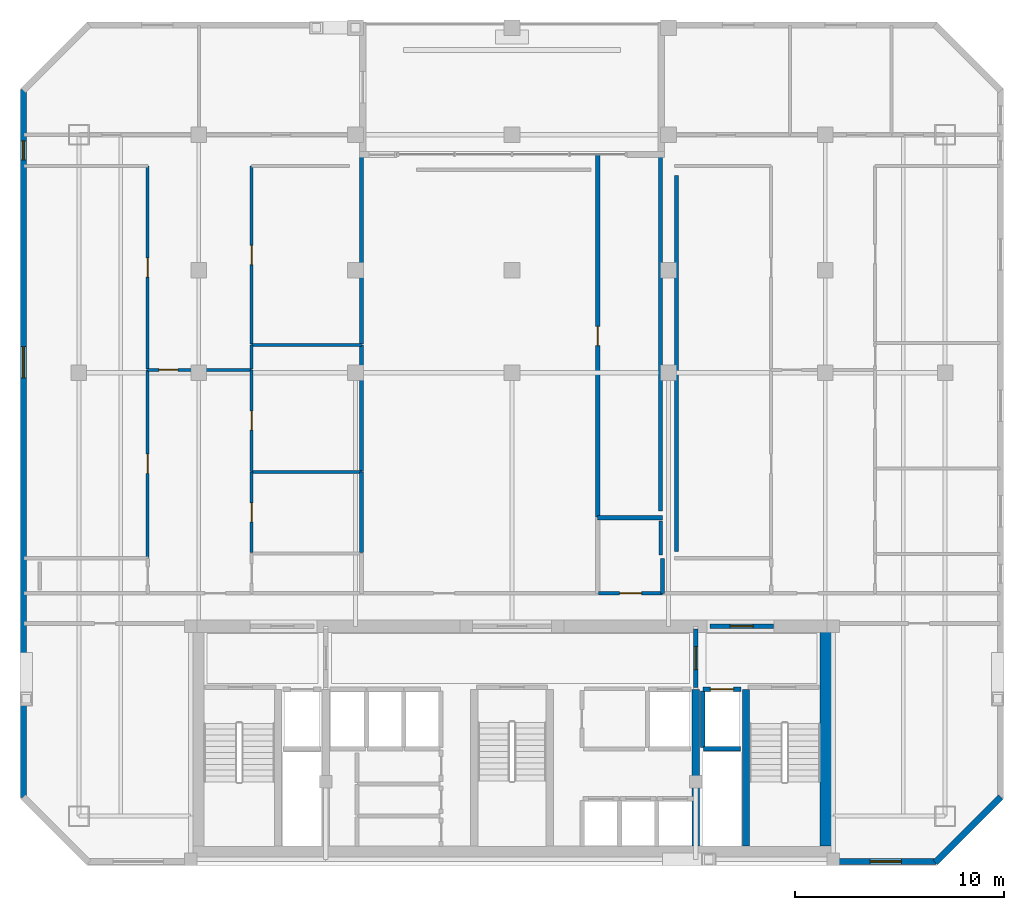
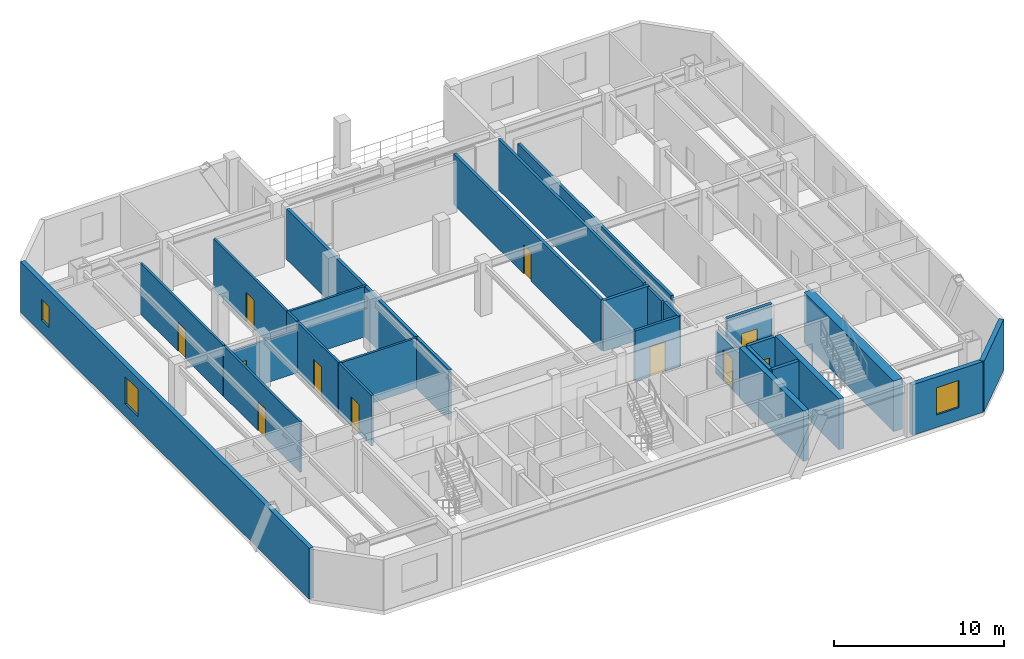
# One storey, part 6 of 9: 30 walls, 11 doors, 3 windows, 14 openings.
"""IFC4 building model written with IfcOpenShell, lengths in metres."""

from ifc_helpers import new_model, si_unit, direction, frame, frame_2d, origin, place, context, subcontext, project, spatial, rectangle, extrude, material, layer, layer_set, type_object, element, fill, save


model = new_model("IFC4")

# Units and contexts
model_context = context("Model", 3, precision=1e-05, world=origin(), true_north=direction((0.0, 1.0)))
body_context = subcontext(model_context, "Body", "Model", "MODEL_VIEW")
ifc_project = project(units=[si_unit("LENGTHUNIT", "METRE"), si_unit("AREAUNIT", "SQUARE_METRE"), si_unit("VOLUMEUNIT", "CUBIC_METRE"), si_unit("PLANEANGLEUNIT", "RADIAN"), si_unit("MASSUNIT", "GRAM", prefix="KILO")], contexts=[model_context])

# Site, building, storey
site_placement = place(None, origin())
site = spatial("IfcSite", under=ifc_project, at=site_placement, CompositionType="ELEMENT")
building_placement = place(site_placement, origin())
building = spatial("IfcBuilding", under=site, at=building_placement, Name="Ventersveld Concourse Tower", CompositionType="ELEMENT")
storey_placement = place(building_placement, frame((0.0, 0.0, 204.14990234375)))
storey = spatial("IfcBuildingStorey", under=building, at=storey_placement, Name="L50", CompositionType="ELEMENT", Elevation=204.14990234375)

# Walls
ifc_material_1 = material(Name="Concrete C50/60", Category="concrete")
ifc_layer_1 = layer(ifc_material_1, 0.35009765625)
ifc_layer_set_1 = layer_set([ifc_layer_1], Name="Concrete C50/60")
wall_type_1 = type_object("IfcWallType", Name="WL-CORE-350U", PredefinedType="SHEAR", material=ifc_layer_set_1)
for number, where, z_axis, x_axis, name in (
    (1, (37.550048828125, 0.919921875, 0.0), (0.0, 0.0, 1.0), (0.0, 1.0, 0.0), "L50 Core Internal Shear Web W-SVL-W"),
    (2, (39.9599609375, 0.919921875, 0.0), (0.0, 0.0, 1.0), (0.0, 1.0, 0.0), "L50 Core Internal Shear Web W-ST2-W"),
):
    element("IfcWall", number, at=place(storey_placement, frame(where, z_axis=z_axis, x_axis=x_axis)), inside=storey, type_object=wall_type_1, Name=name, PredefinedType="SHEAR", context=body_context, shape_type="SweptSolid", body=[
        extrude(rectangle(XDim=7.5, YDim=0.35009765625, at=frame_2d((3.75, 0.0))), origin(), (0.0, 0.0, 1.0), 3.630126953125),
    ])
ifc_layer_2 = layer(ifc_material_1, 0.60009765625)
ifc_layer_set_2 = layer_set([ifc_layer_2], Name="Concrete C50/60")
wall_type_2 = type_object("IfcWallType", Name="WL-CORE-600", PredefinedType="SHEAR", material=ifc_layer_set_2)
wall_1_placement = place(storey_placement, frame((43.800048828125, 0.919921875, 0.0), z_axis=(0.0, 0.0, 1.0), x_axis=(0.0, 1.0, 0.0)))
element("IfcWall", 3, at=wall_1_placement, inside=storey, type_object=wall_type_2, Name="L50 Rear Core East Shear Wall", PredefinedType="SHEAR", context=body_context, shape_type="SweptSolid", body=[
    extrude(rectangle(XDim=10.530029296875, YDim=0.60009765625, at=frame_2d((5.26513671875, 0.0))), origin(), (0.0, 0.0, 1.0), 3.630126953125),
])

# Wall, opening, door
ifc_material_2 = material(Name="Fire-rated autoclaved aerated masonry blockwork", Category="masonry")
ifc_layer_3 = layer(ifc_material_2, 0.179931640625)
ifc_layer_set_3 = layer_set([ifc_layer_3], Name="Fire-rated autoclaved aerated masonry blockwork")
wall_type_3 = type_object("IfcWallType", Name="WL-CORR-180", PredefinedType="PARTITIONING", material=ifc_layer_set_3)
wall_2_placement = place(storey_placement, frame((32.89501953125, 13.030029296875, 0.0), z_axis=(0.0, 0.0, 1.0), x_axis=(1.0, 0.0, 0.0)))
wall_2 = element("IfcWall", 4, at=wall_2_placement, inside=storey, type_object=wall_type_3, Name="L50 Interior Partition SP-L50-COR-SP-L50-SGAWC", PredefinedType="PARTITIONING", context=body_context, shape_type="SweptSolid", body=[
    extrude(rectangle(XDim=3.070068359375, YDim=0.179931640625, at=frame_2d((1.53515625, 0.0))), origin(), (0.0, 0.0, 1.0), 3.630126953125),
])
opening_1_placement = place(wall_2_placement, frame((1.010009765625, 0.0, 0.0)))
opening_1 = element("IfcOpeningElement", 5, at=opening_1_placement, cuts=wall_2, Name="Opening ID3", PredefinedType="OPENING", context=body_context, shape_type="SweptSolid", body=[
    extrude(rectangle(XDim=1.050048828125, YDim=2.14990234375, at=frame_2d((0.52490234375, 1.074951171875))), frame((0.0, 0.10009765625, 0.0), z_axis=(0.0, -1.0, 0.0), x_axis=(1.0, 0.0, 0.0)), (0.0, 0.0, 1.0), 0.199951171875),
])
ifc_material_3 = material(Name="Solid-core hardwood veneer timber", Category="wood")
door_type_1 = type_object("IfcDoorType", Name="DR-AWC-105", OperationType="NOTDEFINED", PredefinedType="DOOR", material=ifc_material_3)
door_1_placement = place(opening_1_placement, origin())
door_1 = element("IfcDoor", 6, at=door_1_placement, inside=storey, type_object=door_type_1, Name="L50 Interior Door SP-L50-COR to SP-L50-SGAWC (WD-L50-2441)", OperationType="SINGLE_SWING_LEFT", OverallHeight=2.14990234375, OverallWidth=1.050048828125, PredefinedType="DOOR", context=body_context, shape_type="SweptSolid", body=[
    extrude(rectangle(XDim=1.050048828125, YDim=2.14990234375, at=frame_2d((0.52490234375, 1.074951171875))), frame((0.0, 0.02490234375, 0.0), z_axis=(0.0, -1.0, 0.0), x_axis=(1.0, 0.0, 0.0)), (0.0, 0.0, 1.0), 0.050048828125),
])
fill(opening_1, door_1)

# Walls
wall_3_placement = place(storey_placement, frame((35.8701171875, 34.027587890625, 0.0), z_axis=(0.0, 0.0, 1.0), x_axis=(0.0, -1.0, 0.0)))
element("IfcWall", 7, at=wall_3_placement, inside=storey, type_object=wall_type_3, Name="L50 Room Enclosure Wall SP-L50-SGSTD", PredefinedType="PARTITIONING", context=body_context, shape_type="SweptSolid", body=[
    extrude(rectangle(XDim=17.052490234375, YDim=0.179931640625, at=frame_2d((8.5263671875, 0.0))), origin(), (0.0, 0.0, 1.0), 3.630126953125),
])
wall_4_placement = place(storey_placement, frame((36.6298828125, 15.02490234375, 0.0), z_axis=(0.0, 0.0, 1.0), x_axis=(0.0, 1.0, 0.0)))
element("IfcWall", 8, at=wall_4_placement, inside=storey, type_object=wall_type_3, Name="L50 Room Enclosure Wall SP-L50-50CE-OFFL0", PredefinedType="PARTITIONING", context=body_context, shape_type="SweptSolid", body=[
    extrude(rectangle(XDim=18.01318359375, YDim=0.179931640625, at=frame_2d((9.006591796875, 0.0))), origin(), (0.0, 0.0, 1.0), 3.630126953125),
])

# Wall, opening, door
ifc_layer_4 = layer(ifc_material_2, 0.199951171875)
ifc_layer_set_4 = layer_set([ifc_layer_4], Name="Fire-rated autoclaved aerated masonry blockwork")
wall_type_4 = type_object("IfcWallType", Name="WL-DEMISE-200", PredefinedType="PARTITIONING", material=ifc_layer_set_4)
wall_5_placement = place(storey_placement, frame((32.860107421875, 16.68505859375, 0.0), z_axis=(0.0, 0.0, 1.0), x_axis=(0.0, 1.0, 0.0)))
wall_5 = element("IfcWall", 9, at=wall_5_placement, inside=storey, type_object=wall_type_4, Name="L50 Interior Partition SP-L50-SGLNG-SP-L50-SGSTD", PredefinedType="PARTITIONING", context=body_context, shape_type="SweptSolid", body=[
    extrude(rectangle(XDim=17.346923828125, YDim=0.199951171875, at=frame_2d((8.67333984375, 0.0))), origin(), (0.0, 0.0, 1.0), 3.630126953125),
])
opening_2_placement = place(wall_5_placement, frame((8.21337890625, 0.0, 0.0)))
opening_2 = element("IfcOpeningElement", 10, at=opening_2_placement, cuts=wall_5, Name="Opening ID1", PredefinedType="OPENING", context=body_context, shape_type="SweptSolid", body=[
    extrude(rectangle(XDim=0.919921875, YDim=2.10009765625, at=frame_2d((0.4599609375, 1.050048828125))), frame((0.0, 0.10986328125, 0.0), z_axis=(0.0, -1.0, 0.0), x_axis=(1.0, 0.0, 0.0)), (0.0, 0.0, 1.0), 0.219970703125),
])
door_type_2 = type_object("IfcDoorType", Name="DR-ROOM-092", OperationType="NOTDEFINED", PredefinedType="DOOR", material=ifc_material_3)
door_2_placement = place(opening_2_placement, origin())
door_2 = element("IfcDoor", 11, at=door_2_placement, inside=storey, type_object=door_type_2, Name="L50 Interior Door SP-L50-SGLNG to SP-L50-SGSTD (D-L50-2444)", OperationType="SINGLE_SWING_RIGHT", OverallHeight=2.10009765625, OverallWidth=0.919921875, PredefinedType="DOOR", context=body_context, shape_type="SweptSolid", body=[
    extrude(rectangle(XDim=0.919921875, YDim=2.10009765625, at=frame_2d((0.4599609375, 1.050048828125))), frame((0.0, 0.02490234375, 0.0), z_axis=(0.0, -1.0, 0.0), x_axis=(1.0, 0.0, 0.0)), (0.0, 0.0, 1.0), 0.050048828125),
])
fill(opening_2, door_2)

# Walls
wall_6_placement = place(storey_placement, frame((21.5400390625, 14.972900390625, 0.0), z_axis=(0.0, 0.0, 1.0), x_axis=(0.0, 1.0, 0.0)))
element("IfcWall", 12, at=wall_6_placement, inside=storey, type_object=wall_type_4, Name="L50 Interior Partition SP-L50-SGLNG-SP-L50-50CW-SEMR1", PredefinedType="PARTITIONING", context=body_context, shape_type="SweptSolid", body=[
    extrude(rectangle(XDim=3.8681640625, YDim=0.199951171875, at=frame_2d((1.93408203125, 0.0))), origin(), (0.0, 0.0, 1.0), 3.630126953125),
])
wall_7_placement = place(storey_placement, frame((21.5400390625, 18.87109375, 0.0), z_axis=(0.0, 0.0, 1.0), x_axis=(0.0, 1.0, 0.0)))
element("IfcWall", 13, at=wall_7_placement, inside=storey, type_object=wall_type_4, Name="L50 Interior Partition SP-L50-SGLNG-SP-L50-50CW-DENS", PredefinedType="PARTITIONING", context=body_context, shape_type="SweptSolid", body=[
    extrude(rectangle(XDim=6.060791015625, YDim=0.199951171875, at=frame_2d((3.0302734375, 0.0))), origin(), (0.0, 0.0, 1.0), 3.630126953125),
])
wall_8_placement = place(storey_placement, frame((21.5400390625, 24.9619140625, 0.0), z_axis=(0.0, 0.0, 1.0), x_axis=(0.0, 1.0, 0.0)))
element("IfcWall", 14, at=wall_8_placement, inside=storey, type_object=wall_type_4, Name="L50 Interior Partition SP-L50-SGLNG-SP-L50-50CW-DENS2", PredefinedType="PARTITIONING", context=body_context, shape_type="SweptSolid", body=[
    extrude(rectangle(XDim=9.065673828125, YDim=0.199951171875, at=frame_2d((4.53271484375, 0.0))), origin(), (0.0, 0.0, 1.0), 3.630126953125),
])
wall_9_placement = place(storey_placement, frame((32.85498046875, 16.64990234375, 0.0), z_axis=(0.0, 0.0, 1.0), x_axis=(1.0, 0.0, 0.0)))
element("IfcWall", 15, at=wall_9_placement, inside=storey, type_object=wall_type_4, Name="L50 Interior Partition SP-L50-SGAWC-SP-L50-SGSTD", PredefinedType="PARTITIONING", context=body_context, shape_type="SweptSolid", body=[
    extrude(rectangle(XDim=3.110107421875, YDim=0.199951171875, at=frame_2d((1.55517578125, 0.0))), origin(), (0.0, 0.0, 1.0), 3.630126953125),
])
wall_10_placement = place(storey_placement, frame((35.9599609375, 13.014892578125, 0.0), z_axis=(0.0, 0.0, 1.0), x_axis=(0.0, 1.0, 0.0)))
element("IfcWall", 16, at=wall_10_placement, inside=storey, type_object=wall_type_4, Name="L50 Interior Partition SP-L50-SGAWC-SP-L50-50CE-BATH", PredefinedType="PARTITIONING", context=body_context, shape_type="SweptSolid", body=[
    extrude(rectangle(XDim=1.690185546875, YDim=0.199951171875, at=frame_2d((0.84521484375, 0.0))), origin(), (0.0, 0.0, 1.0), 3.630126953125),
])
ifc_layer_5 = layer(ifc_material_2, 0.219970703125)
ifc_layer_set_5 = layer_set([ifc_layer_5], Name="Fire-rated autoclaved aerated masonry blockwork")
wall_type_5 = type_object("IfcWallType", Name="WL-HOIST-220", PredefinedType="SOLIDWALL", material=ifc_layer_set_5)
wall_11_placement = place(storey_placement, frame((37.919921875, 5.590087890625, 0.0), z_axis=(0.0, 0.0, 1.0), x_axis=(1.0, 0.0, 0.0)))
element("IfcWall", 17, at=wall_11_placement, inside=storey, type_object=wall_type_5, Name="L50 Lift Hoistway Back Wall FFL-02", PredefinedType="SOLIDWALL", context=body_context, shape_type="SweptSolid", body=[
    extrude(rectangle(XDim=1.780029296875, YDim=0.219970703125, at=frame_2d((0.89013671875, 0.0))), origin(), (0.0, 0.0, 1.0), 3.630126953125),
])
wall_12_placement = place(storey_placement, frame((37.8798828125, 5.64990234375, 0.0), z_axis=(0.0, 0.0, 1.0), x_axis=(0.0, 1.0, 0.0)))
element("IfcWall", 18, at=wall_12_placement, inside=storey, type_object=wall_type_5, Name="L50 Lift Hoistway Side Wall FFL-02W", PredefinedType="SOLIDWALL", context=body_context, shape_type="SweptSolid", body=[
    extrude(rectangle(XDim=2.7001953125, YDim=0.219970703125, at=frame_2d((1.35009765625, 0.0))), origin(), (0.0, 0.0, 1.0), 3.630126953125),
])

# Wall, opening, door
wall_13_placement = place(storey_placement, frame((37.89990234375, 8.429931640625, 0.0), z_axis=(0.0, 0.0, 1.0), x_axis=(1.0, 0.0, 0.0)))
wall_13 = element("IfcWall", 19, at=wall_13_placement, inside=storey, type_object=wall_type_5, Name="L50 Lift Hoistway Front Wall FFL-02", PredefinedType="SOLIDWALL", context=body_context, shape_type="SweptSolid", body=[
    extrude(rectangle(XDim=1.820068359375, YDim=0.219970703125, at=frame_2d((0.91015625, 0.0))), origin(), (0.0, 0.0, 1.0), 3.630126953125),
])
opening_3_placement = place(wall_13_placement, frame((0.35009765625, 0.0, 0.0)))
opening_3 = element("IfcOpeningElement", 20, at=opening_3_placement, cuts=wall_13, Name="Opening LD1", PredefinedType="OPENING", context=body_context, shape_type="SweptSolid", body=[
    extrude(rectangle(XDim=1.1201171875, YDim=2.25, at=frame_2d((0.56005859375, 1.125))), frame((0.0, 0.1201171875, 0.0), z_axis=(0.0, -1.0, 0.0), x_axis=(1.0, 0.0, 0.0)), (0.0, 0.0, 1.0), 0.239990234375),
])
ifc_material_4 = material(Name="Brushed stainless steel 316", Category="steel")
door_type_3 = type_object("IfcDoorType", Name="LD-FF-112", OperationType="SLIDING_TO_LEFT", PredefinedType="DOOR", material=ifc_material_4)
door_3_placement = place(opening_3_placement, origin())
door_3 = element("IfcDoor", 21, at=door_3_placement, inside=storey, type_object=door_type_3, Name="L50 Lift landing door FFL-02 (LD-L50-FFL-02)", OperationType="SLIDING_TO_RIGHT", OverallHeight=2.25, OverallWidth=1.1201171875, PredefinedType="DOOR", context=body_context, shape_type="SweptSolid", body=[
    extrude(rectangle(XDim=1.1201171875, YDim=2.25, at=frame_2d((0.56005859375, 1.125))), frame((0.0, 0.02490234375, 0.0), z_axis=(0.0, -1.0, 0.0), x_axis=(1.0, 0.0, 0.0)), (0.0, 0.0, 1.0), 0.050048828125),
])
fill(opening_3, door_3)

wall_14_placement = place(storey_placement, frame((37.550048828125, 8.52001953125, 0.0), z_axis=(0.0, 0.0, 1.0), x_axis=(0.0, 1.0, 0.0)))
wall_14 = element("IfcWall", 22, at=wall_14_placement, inside=storey, type_object=wall_type_5, Name="L50 Firefighting Lobby Smoke-Stop Wall FFLE-SEP", PredefinedType="SOLIDWALL", context=body_context, shape_type="SweptSolid", body=[
    extrude(rectangle(XDim=2.800048828125, YDim=0.219970703125, at=frame_2d((1.39990234375, 0.0))), origin(), (0.0, 0.0, 1.0), 3.085693359375),
])
opening_4_placement = place(wall_14_placement, frame((0.85009765625, 0.0, 0.0)))
opening_4 = element("IfcOpeningElement", 23, at=opening_4_placement, cuts=wall_14, Name="Opening FD2", PredefinedType="OPENING", context=body_context, shape_type="SweptSolid", body=[
    extrude(rectangle(XDim=1.10009765625, YDim=2.199951171875, at=frame_2d((0.550048828125, 1.10009765625))), frame((0.0, 0.1201171875, 0.0), z_axis=(0.0, -1.0, 0.0), x_axis=(1.0, 0.0, 0.0)), (0.0, 0.0, 1.0), 0.239990234375),
])
ifc_material_5 = material(Name="Galvanised painted steel", Category="steel")
door_type_4 = type_object("IfcDoorType", Name="DR-FFL-110", OperationType="NOTDEFINED", PredefinedType="DOOR", material=ifc_material_5)
door_4_placement = place(opening_4_placement, origin())
door_4 = element("IfcDoor", 24, at=door_4_placement, inside=storey, type_object=door_type_4, Name="L50 Firefighting Lobby Door FFLE-SEP (FD-L50-2430)", OperationType="SINGLE_SWING_RIGHT", OverallHeight=2.199951171875, OverallWidth=1.10009765625, PredefinedType="DOOR", context=body_context, shape_type="SweptSolid", body=[
    extrude(rectangle(XDim=1.10009765625, YDim=2.199951171875, at=frame_2d((0.550048828125, 1.10009765625))), frame((0.0, 0.02490234375, 0.0), z_axis=(0.0, -1.0, 0.0), x_axis=(1.0, 0.0, 0.0)), (0.0, 0.0, 1.0), 0.050048828125),
])
fill(opening_4, door_4)

wall_15_placement = place(storey_placement, frame((38.22998046875, 11.449951171875, 0.0), z_axis=(0.0, 0.0, 1.0), x_axis=(1.0, 0.0, 0.0)))
wall_15 = element("IfcWall", 25, at=wall_15_placement, inside=storey, type_object=wall_type_5, Name="L50 Core North Fire Portal FFLE-OUT", PredefinedType="SOLIDWALL", context=body_context, shape_type="SweptSolid", body=[
    extrude(rectangle(XDim=3.0400390625, YDim=0.219970703125, at=frame_2d((1.52001953125, 0.0))), origin(), (0.0, 0.0, 1.0), 3.630126953125),
])
opening_5_placement = place(wall_15_placement, frame((0.969970703125, 0.0, 0.0)))
opening_5 = element("IfcOpeningElement", 26, at=opening_5_placement, cuts=wall_15, Name="Opening FD2", PredefinedType="OPENING", context=body_context, shape_type="SweptSolid", body=[
    extrude(rectangle(XDim=1.10009765625, YDim=2.199951171875, at=frame_2d((0.550048828125, 1.10009765625))), frame((0.0, 0.1201171875, 0.0), z_axis=(0.0, -1.0, 0.0), x_axis=(1.0, 0.0, 0.0)), (0.0, 0.0, 1.0), 0.239990234375),
])
door_5_placement = place(opening_5_placement, origin())
door_5 = element("IfcDoor", 27, at=door_5_placement, inside=storey, type_object=door_type_4, Name="L50 Core Lobby Fire Door FFLE-OUT (FD-L50-2433)", OperationType="SINGLE_SWING_LEFT", OverallHeight=2.199951171875, OverallWidth=1.10009765625, PredefinedType="DOOR", context=body_context, shape_type="SweptSolid", body=[
    extrude(rectangle(XDim=1.10009765625, YDim=2.199951171875, at=frame_2d((0.550048828125, 1.10009765625))), frame((0.0, 0.02490234375, 0.0), z_axis=(0.0, -1.0, 0.0), x_axis=(1.0, 0.0, 0.0)), (0.0, 0.0, 1.0), 0.050048828125),
])
fill(opening_5, door_5)

ifc_material_6 = material(Name="Autoclaved aerated masonry blockwork", Category="masonry")
ifc_layer_6 = layer(ifc_material_6, 0.14990234375)
ifc_layer_set_6 = layer_set([ifc_layer_6], Name="Autoclaved aerated masonry blockwork")
wall_type_6 = type_object("IfcWallType", Name="WL-INT-150", PredefinedType="PARTITIONING", material=ifc_layer_set_6)
wall_16_placement = place(storey_placement, frame((11.2900390625, 23.72900390625, 0.0), z_axis=(0.0, 0.0, 1.0), x_axis=(1.0, 0.0, 0.0)))
wall_16 = element("IfcWall", 28, at=wall_16_placement, inside=storey, type_object=wall_type_6, Name="L50 Interior Partition SP-L50-50CW-FOY-SP-L50-50CW-LIV", PredefinedType="PARTITIONING", context=body_context, shape_type="SweptSolid", body=[
    extrude(rectangle(XDim=4.989990234375, YDim=0.14990234375, at=frame_2d((2.4951171875, 0.0))), origin(), (0.0, 0.0, 1.0), 3.085693359375),
])
opening_6_placement = place(wall_16_placement, frame((0.5380859375, 0.0, 0.0)))
opening_6 = element("IfcOpeningElement", 29, at=opening_6_placement, cuts=wall_16, Name="Opening ID1", PredefinedType="OPENING", context=body_context, shape_type="SweptSolid", body=[
    extrude(rectangle(XDim=0.919921875, YDim=2.10009765625, at=frame_2d((0.4599609375, 1.050048828125))), frame((0.0, 0.0849609375, 0.0), z_axis=(0.0, -1.0, 0.0), x_axis=(1.0, 0.0, 0.0)), (0.0, 0.0, 1.0), 0.169921875),
])
door_6_placement = place(opening_6_placement, origin())
door_6 = element("IfcDoor", 30, at=door_6_placement, inside=storey, type_object=door_type_2, Name="L50 Interior Door SP-L50-50CW-FOY to SP-L50-50CW-LIV (D-L50-2445)", OperationType="SINGLE_SWING_LEFT", OverallHeight=2.10009765625, OverallWidth=0.919921875, PredefinedType="DOOR", context=body_context, shape_type="SweptSolid", body=[
    extrude(rectangle(XDim=0.919921875, YDim=2.10009765625, at=frame_2d((0.4599609375, 1.050048828125))), frame((0.0, 0.02490234375, 0.0), z_axis=(0.0, -1.0, 0.0), x_axis=(1.0, 0.0, 0.0)), (0.0, 0.0, 1.0), 0.050048828125),
])
fill(opening_6, door_6)

wall_17_placement = place(storey_placement, frame((11.294921875, 14.735107421875, 0.0), z_axis=(0.0, 0.0, 1.0), x_axis=(0.0, 1.0, 0.0)))
wall_17 = element("IfcWall", 31, at=wall_17_placement, inside=storey, type_object=wall_type_6, Name="L50 Interior Partition SP-L50-50CW-FOY-SP-L50-50CW-OFFL0", PredefinedType="PARTITIONING", context=body_context, shape_type="SweptSolid", body=[
    extrude(rectangle(XDim=8.9990234375, YDim=0.14990234375, at=frame_2d((4.49951171875, 0.0))), origin(), (0.0, 0.0, 1.0), 3.630126953125),
])
opening_7_placement = place(wall_17_placement, frame((4.03955078125, 0.0, 0.0)))
opening_7 = element("IfcOpeningElement", 32, at=opening_7_placement, cuts=wall_17, Name="Opening ID1", PredefinedType="OPENING", context=body_context, shape_type="SweptSolid", body=[
    extrude(rectangle(XDim=0.919921875, YDim=2.10009765625, at=frame_2d((0.4599609375, 1.050048828125))), frame((0.0, 0.0849609375, 0.0), z_axis=(0.0, -1.0, 0.0), x_axis=(1.0, 0.0, 0.0)), (0.0, 0.0, 1.0), 0.169921875),
])
door_7_placement = place(opening_7_placement, origin())
door_7 = element("IfcDoor", 33, at=door_7_placement, inside=storey, type_object=door_type_2, Name="L50 Interior Door SP-L50-50CW-FOY to SP-L50-50CW-OFFL0 (D-L50-2447)", OperationType="SINGLE_SWING_LEFT", OverallHeight=2.10009765625, OverallWidth=0.919921875, PredefinedType="DOOR", context=body_context, shape_type="SweptSolid", body=[
    extrude(rectangle(XDim=0.919921875, YDim=2.10009765625, at=frame_2d((0.4599609375, 1.050048828125))), frame((0.0, 0.02490234375, 0.0), z_axis=(0.0, -1.0, 0.0), x_axis=(1.0, 0.0, 0.0)), (0.0, 0.0, 1.0), 0.050048828125),
])
fill(opening_7, door_7)

wall_18_placement = place(storey_placement, frame((16.27490234375, 14.972900390625, 0.0), z_axis=(0.0, 0.0, 1.0), x_axis=(0.0, 1.0, 0.0)))
wall_18 = element("IfcWall", 34, at=wall_18_placement, inside=storey, type_object=wall_type_6, Name="L50 Interior Partition SP-L50-50CW-FOY-SP-L50-50CW-SEMR1", PredefinedType="PARTITIONING", context=body_context, shape_type="SweptSolid", body=[
    extrude(rectangle(XDim=3.8681640625, YDim=0.14990234375, at=frame_2d((1.93408203125, 0.0))), origin(), (0.0, 0.0, 1.0), 3.630126953125),
])
opening_8_placement = place(wall_18_placement, frame((1.47412109375, 0.0, 0.0)))
opening_8 = element("IfcOpeningElement", 35, at=opening_8_placement, cuts=wall_18, Name="Opening ID1", PredefinedType="OPENING", context=body_context, shape_type="SweptSolid", body=[
    extrude(rectangle(XDim=0.919921875, YDim=2.10009765625, at=frame_2d((0.4599609375, 1.050048828125))), frame((0.0, 0.0849609375, 0.0), z_axis=(0.0, -1.0, 0.0), x_axis=(1.0, 0.0, 0.0)), (0.0, 0.0, 1.0), 0.169921875),
])
door_8_placement = place(opening_8_placement, origin())
door_8 = element("IfcDoor", 36, at=door_8_placement, inside=storey, type_object=door_type_2, Name="L50 Interior Door SP-L50-50CW-FOY to SP-L50-50CW-SEMR1 (D-L50-2449)", OperationType="SINGLE_SWING_LEFT", OverallHeight=2.10009765625, OverallWidth=0.919921875, PredefinedType="DOOR", context=body_context, shape_type="SweptSolid", body=[
    extrude(rectangle(XDim=0.919921875, YDim=2.10009765625, at=frame_2d((0.4599609375, 1.050048828125))), frame((0.0, 0.02490234375, 0.0), z_axis=(0.0, -1.0, 0.0), x_axis=(1.0, 0.0, 0.0)), (0.0, 0.0, 1.0), 0.050048828125),
])
fill(opening_8, door_8)

wall_19_placement = place(storey_placement, frame((16.27490234375, 18.87109375, 0.0), z_axis=(0.0, 0.0, 1.0), x_axis=(0.0, 1.0, 0.0)))
wall_19 = element("IfcWall", 37, at=wall_19_placement, inside=storey, type_object=wall_type_6, Name="L50 Interior Partition SP-L50-50CW-FOY-SP-L50-50CW-DENS", PredefinedType="PARTITIONING", context=body_context, shape_type="SweptSolid", body=[
    extrude(rectangle(XDim=4.863037109375, YDim=0.14990234375, at=frame_2d((2.431640625, 0.0))), origin(), (0.0, 0.0, 1.0), 3.630126953125),
])
opening_9_placement = place(wall_19_placement, frame((1.971435546875, 0.0, 0.0)))
opening_9 = element("IfcOpeningElement", 38, at=opening_9_placement, cuts=wall_19, Name="Opening ID1", PredefinedType="OPENING", context=body_context, shape_type="SweptSolid", body=[
    extrude(rectangle(XDim=0.919921875, YDim=2.10009765625, at=frame_2d((0.4599609375, 1.050048828125))), frame((0.0, 0.0849609375, 0.0), z_axis=(0.0, -1.0, 0.0), x_axis=(1.0, 0.0, 0.0)), (0.0, 0.0, 1.0), 0.169921875),
])
door_9_placement = place(opening_9_placement, origin())
door_9 = element("IfcDoor", 39, at=door_9_placement, inside=storey, type_object=door_type_2, Name="L50 Interior Door SP-L50-50CW-FOY to SP-L50-50CW-DENS (D-L50-2450)", OperationType="SINGLE_SWING_RIGHT", OverallHeight=2.10009765625, OverallWidth=0.919921875, PredefinedType="DOOR", context=body_context, shape_type="SweptSolid", body=[
    extrude(rectangle(XDim=0.919921875, YDim=2.10009765625, at=frame_2d((0.4599609375, 1.050048828125))), frame((0.0, 0.02490234375, 0.0), z_axis=(0.0, -1.0, 0.0), x_axis=(1.0, 0.0, 0.0)), (0.0, 0.0, 1.0), 0.050048828125),
])
fill(opening_9, door_9)

wall_20_placement = place(storey_placement, frame((11.294921875, 23.76416015625, 0.0), z_axis=(0.0, 0.0, 1.0), x_axis=(0.0, 1.0, 0.0)))
wall_20 = element("IfcWall", 40, at=wall_20_placement, inside=storey, type_object=wall_type_6, Name="L50 Interior Partition SP-L50-50CW-LIV-SP-L50-50CW-OFFL0", PredefinedType="PARTITIONING", context=body_context, shape_type="SweptSolid", body=[
    extrude(rectangle(XDim=9.74072265625, YDim=0.14990234375, at=frame_2d((4.870361328125, 0.0))), origin(), (0.0, 0.0, 1.0), 3.630126953125),
])
opening_10_placement = place(wall_20_placement, frame((4.410400390625, 0.0, 0.0)))
opening_10 = element("IfcOpeningElement", 41, at=opening_10_placement, cuts=wall_20, Name="Opening ID1", PredefinedType="OPENING", context=body_context, shape_type="SweptSolid", body=[
    extrude(rectangle(XDim=0.919921875, YDim=2.10009765625, at=frame_2d((0.4599609375, 1.050048828125))), frame((0.0, 0.0849609375, 0.0), z_axis=(0.0, -1.0, 0.0), x_axis=(1.0, 0.0, 0.0)), (0.0, 0.0, 1.0), 0.169921875),
])
door_10_placement = place(opening_10_placement, origin())
door_10 = element("IfcDoor", 42, at=door_10_placement, inside=storey, type_object=door_type_2, Name="L50 Interior Door SP-L50-50CW-LIV to SP-L50-50CW-OFFL0 (D-L50-2451)", OperationType="SINGLE_SWING_LEFT", OverallHeight=2.10009765625, OverallWidth=0.919921875, PredefinedType="DOOR", context=body_context, shape_type="SweptSolid", body=[
    extrude(rectangle(XDim=0.919921875, YDim=2.10009765625, at=frame_2d((0.4599609375, 1.050048828125))), frame((0.0, 0.02490234375, 0.0), z_axis=(0.0, -1.0, 0.0), x_axis=(1.0, 0.0, 0.0)), (0.0, 0.0, 1.0), 0.050048828125),
])
fill(opening_10, door_10)

# Wall
wall_21_placement = place(storey_placement, frame((16.27490234375, 23.76416015625, 0.0), z_axis=(0.0, 0.0, 1.0), x_axis=(0.0, 1.0, 0.0)))
element("IfcWall", 43, at=wall_21_placement, inside=storey, type_object=wall_type_6, Name="L50 Interior Partition SP-L50-50CW-LIV-SP-L50-50CW-DENS", PredefinedType="PARTITIONING", context=body_context, shape_type="SweptSolid", body=[
    extrude(rectangle(XDim=1.167724609375, YDim=0.14990234375, at=frame_2d((0.583984375, 0.0))), origin(), (0.0, 0.0, 1.0), 3.630126953125),
])

# Wall, opening, door
wall_22_placement = place(storey_placement, frame((16.27490234375, 24.9619140625, 0.0), z_axis=(0.0, 0.0, 1.0), x_axis=(0.0, 1.0, 0.0)))
wall_22 = element("IfcWall", 44, at=wall_22_placement, inside=storey, type_object=wall_type_6, Name="L50 Interior Partition SP-L50-50CW-LIV-SP-L50-50CW-DENS2", PredefinedType="PARTITIONING", context=body_context, shape_type="SweptSolid", body=[
    extrude(rectangle(XDim=8.54296875, YDim=0.14990234375, at=frame_2d((4.271484375, 0.0))), origin(), (0.0, 0.0, 1.0), 3.630126953125),
])
opening_11_placement = place(wall_22_placement, frame((3.8115234375, 0.0, 0.0)))
opening_11 = element("IfcOpeningElement", 45, at=opening_11_placement, cuts=wall_22, Name="Opening ID1", PredefinedType="OPENING", context=body_context, shape_type="SweptSolid", body=[
    extrude(rectangle(XDim=0.919921875, YDim=2.10009765625, at=frame_2d((0.4599609375, 1.050048828125))), frame((0.0, 0.0849609375, 0.0), z_axis=(0.0, -1.0, 0.0), x_axis=(1.0, 0.0, 0.0)), (0.0, 0.0, 1.0), 0.169921875),
])
door_11_placement = place(opening_11_placement, origin())
door_11 = element("IfcDoor", 46, at=door_11_placement, inside=storey, type_object=door_type_2, Name="L50 Interior Door SP-L50-50CW-LIV to SP-L50-50CW-DENS2 (D-L50-2452)", OperationType="SINGLE_SWING_RIGHT", OverallHeight=2.10009765625, OverallWidth=0.919921875, PredefinedType="DOOR", context=body_context, shape_type="SweptSolid", body=[
    extrude(rectangle(XDim=0.919921875, YDim=2.10009765625, at=frame_2d((0.4599609375, 1.050048828125))), frame((0.0, 0.02490234375, 0.0), z_axis=(0.0, -1.0, 0.0), x_axis=(1.0, 0.0, 0.0)), (0.0, 0.0, 1.0), 0.050048828125),
])
fill(opening_11, door_11)

# Walls
for number, where, z_axis, x_axis, name in (
    (47, (16.27001953125, 18.8359375, 0.0), (0.0, 0.0, 1.0), (1.0, 0.0, 0.0), "L50 Interior Partition SP-L50-50CW-SEMR1-SP-L50-50CW-DENS"),
    (48, (16.27001953125, 24.9267578125, 0.0), (0.0, 0.0, 1.0), (1.0, 0.0, 0.0), "L50 Interior Partition SP-L50-50CW-DENS-SP-L50-50CW-DENS2"),
):
    element("IfcWall", number, at=place(storey_placement, frame(where, z_axis=z_axis, x_axis=x_axis)), inside=storey, type_object=wall_type_6, Name=name, PredefinedType="PARTITIONING", context=body_context, shape_type="SweptSolid", body=[
        extrude(rectangle(XDim=5.27490234375, YDim=0.14990234375, at=frame_2d((2.637451171875, 0.0))), origin(), (0.0, 0.0, 1.0), 3.630126953125),
    ])

# Wall, opening, window
ifc_material_7 = material(Name="Precast concrete C45/55", Category="concrete")
ifc_layer_7 = layer(ifc_material_7, 0.300048828125)
ifc_layer_set_7 = layer_set([ifc_layer_7], Name="Precast concrete C45/55")
wall_type_7 = type_object("IfcWallType", Name="WL-PREC-300", PredefinedType="SOLIDWALL", material=ifc_layer_set_7)
wall_23_placement = place(storey_placement, frame((44.25, 0.179931640625, 0.0), z_axis=(0.0, 0.0, 1.0), x_axis=(1.0, 0.0, 0.0)))
wall_23 = element("IfcWall", 49, at=wall_23_placement, inside=storey, type_object=wall_type_7, Name="L50 South-East Flank Precast Wall", PredefinedType="SOLIDWALL", context=body_context, shape_type="SweptSolid", body=[
    extrude(rectangle(XDim=4.81005859375, YDim=0.300048828125, at=frame_2d((2.405029296875, 0.0))), origin(), (0.0, 0.0, 1.0), 3.630126953125),
])
opening_12_placement = place(wall_23_placement, frame((1.655029296875, 0.0, 0.89990234375)))
opening_12 = element("IfcOpeningElement", 50, at=opening_12_placement, cuts=wall_23, Name="Opening W1", PredefinedType="OPENING", context=body_context, shape_type="SweptSolid", body=[
    extrude(rectangle(XDim=1.5, YDim=1.949951171875, at=frame_2d((0.75, 0.97509765625))), frame((0.0, 0.16015625, 0.0), z_axis=(0.0, -1.0, 0.0), x_axis=(1.0, 0.0, 0.0)), (0.0, 0.0, 1.0), 0.320068359375),
])
ifc_material_8 = material(Name="Tempered acoustic Low-E IGU", Category="glass")
window_type_1 = type_object("IfcWindowType", Name="WIN-150x210", PartitioningType="SINGLE_PANEL", PredefinedType="WINDOW", material=ifc_material_8)
window_1_placement = place(opening_12_placement, origin())
window_1 = element("IfcWindow", 51, at=window_1_placement, inside=storey, type_object=window_type_1, Name="L50 Punched Low-E Window W-0704", OverallHeight=1.949951171875, OverallWidth=1.5, PartitioningType="SINGLE_PANEL", PredefinedType="WINDOW", context=body_context, shape_type="SweptSolid", body=[
    extrude(rectangle(XDim=1.5, YDim=1.949951171875, at=frame_2d((0.75, 0.97509765625))), frame((0.0, 0.030029296875, 0.0), z_axis=(0.0, -1.0, 0.0), x_axis=(1.0, 0.0, 0.0)), (0.0, 0.0, 1.0), 0.06005859375),
])
fill(opening_12, window_1)

# Wall
wall_24_placement = place(storey_placement, frame((49.022216796875, 0.134521484375, 0.0), z_axis=(0.0, 0.0, 1.0), x_axis=(0.707106781187, 0.707106781187, 0.0)))
element("IfcWall", 52, at=wall_24_placement, inside=storey, type_object=wall_type_7, Name="L50 Highveld Precast Facade Wall E02", PredefinedType="SOLIDWALL", context=body_context, shape_type="SweptSolid", body=[
    extrude(rectangle(XDim=4.4453125, YDim=0.300048828125, at=frame_2d((2.22265625, 0.0))), origin(), (0.0, 0.0, 1.0), 3.630126953125),
])

# Wall, openings, windows
wall_25_placement = place(storey_placement, frame((5.35009765625, 37.159912109375, 0.0), z_axis=(0.0, 0.0, 1.0), x_axis=(0.0, -1.0, 0.0)))
wall_25 = element("IfcWall", 53, at=wall_25_placement, inside=storey, type_object=wall_type_7, Name="L50 Highveld Precast Facade Wall E11", PredefinedType="SOLIDWALL", context=body_context, shape_type="SweptSolid", body=[
    extrude(rectangle(XDim=33.919921875, YDim=0.300048828125, at=frame_2d((16.9599609375, 0.0))), origin(), (0.0, 0.0, 1.0), 3.630126953125),
])
opening_13_placement = place(wall_25_placement, frame((2.4599609375, 0.0, 0.949951171875)))
opening_13 = element("IfcOpeningElement", 54, at=opening_13_placement, cuts=wall_25, Name="Opening W4", PredefinedType="OPENING", context=body_context, shape_type="SweptSolid", body=[
    extrude(rectangle(XDim=0.89990234375, YDim=1.5, at=frame_2d((0.449951171875, 0.75))), frame((0.0, 0.16015625, 0.0), z_axis=(0.0, -1.0, 0.0), x_axis=(1.0, 0.0, 0.0)), (0.0, 0.0, 1.0), 0.320068359375),
])
opening_14_placement = place(wall_25_placement, frame((12.31005859375, 0.0, 0.89990234375)))
opening_14 = element("IfcOpeningElement", 55, at=opening_14_placement, cuts=wall_25, Name="Opening W1", PredefinedType="OPENING", context=body_context, shape_type="SweptSolid", body=[
    extrude(rectangle(XDim=1.5, YDim=1.949951171875, at=frame_2d((0.75, 0.97509765625))), frame((0.0, 0.16015625, 0.0), z_axis=(0.0, -1.0, 0.0), x_axis=(1.0, 0.0, 0.0)), (0.0, 0.0, 1.0), 0.320068359375),
])
window_type_2 = type_object("IfcWindowType", Name="WIN-090x150", PartitioningType="SINGLE_PANEL", PredefinedType="WINDOW", material=ifc_material_8)
window_2_placement = place(opening_13_placement, origin())
window_2 = element("IfcWindow", 56, at=window_2_placement, inside=storey, type_object=window_type_2, Name="L50 Punched Low-E Window W-0705", OverallHeight=1.5, OverallWidth=0.89990234375, PartitioningType="SINGLE_PANEL", PredefinedType="WINDOW", context=body_context, shape_type="SweptSolid", body=[
    extrude(rectangle(XDim=0.89990234375, YDim=1.5, at=frame_2d((0.449951171875, 0.75))), frame((0.0, 0.030029296875, 0.0), z_axis=(0.0, -1.0, 0.0), x_axis=(1.0, 0.0, 0.0)), (0.0, 0.0, 1.0), 0.06005859375),
])
fill(opening_13, window_2)
window_3_placement = place(opening_14_placement, origin())
window_3 = element("IfcWindow", 57, at=window_3_placement, inside=storey, type_object=window_type_1, Name="L50 Punched Low-E Window W-0706", OverallHeight=1.949951171875, OverallWidth=1.5, PartitioningType="SINGLE_PANEL", PredefinedType="WINDOW", context=body_context, shape_type="SweptSolid", body=[
    extrude(rectangle(XDim=1.5, YDim=1.949951171875, at=frame_2d((0.75, 0.97509765625))), frame((0.0, 0.030029296875, 0.0), z_axis=(0.0, -1.0, 0.0), x_axis=(1.0, 0.0, 0.0)), (0.0, 0.0, 1.0), 0.06005859375),
])
fill(opening_14, window_3)

# Wall
ifc_layer_8 = layer(ifc_material_6, 0.1650390625)
ifc_layer_set_8 = layer_set([ifc_layer_8], Name="Autoclaved aerated masonry blockwork")
wall_type_8 = type_object("IfcWallType", Name="WL-WET-165", PredefinedType="PLUMBINGWALL", material=ifc_layer_set_8)
wall_26_placement = place(storey_placement, frame((35.8701171875, 16.485107421875, 0.0), z_axis=(0.0, 0.0, 1.0), x_axis=(0.0, -1.0, 0.0)))
element("IfcWall", 58, at=wall_26_placement, inside=storey, type_object=wall_type_8, Name="L50 Room Enclosure Wall SP-L50-SGAWC", PredefinedType="PLUMBINGWALL", context=body_context, shape_type="SweptSolid", body=[
    extrude(rectangle(XDim=1.631591796875, YDim=0.1650390625, at=frame_2d((0.81591796875, 0.0))), origin(), (0.0, 0.0, 1.0), 3.630126953125),
])

save(model, "model.ifc")
